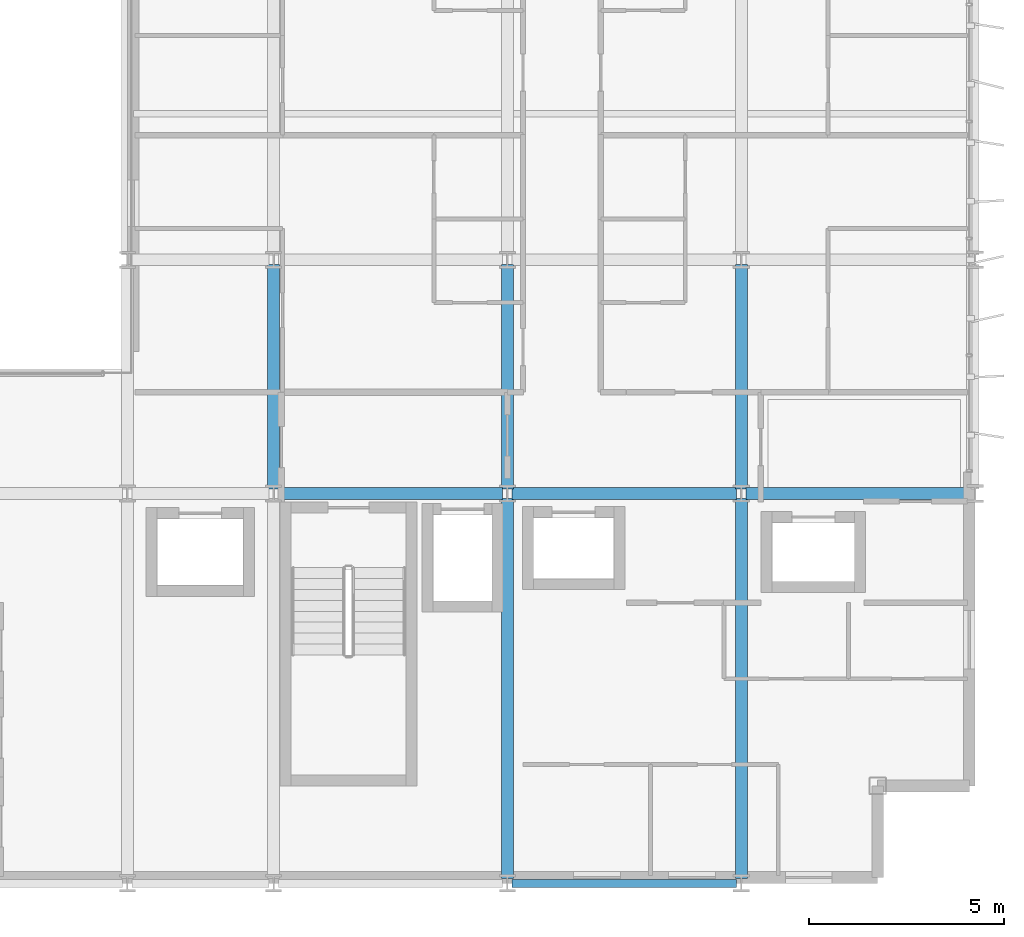
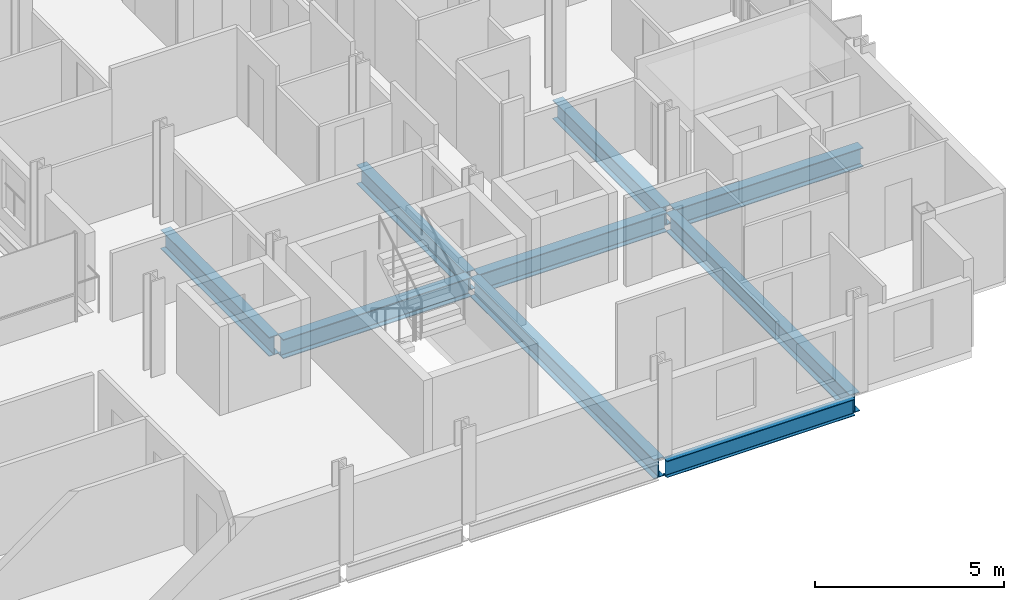
# One storey, part 14 of 39: 9 beams.
"""IFC4 building model written with IfcOpenShell, lengths in metres."""

from ifc_helpers import new_model, si_unit, direction, frame, origin, origin_2d, place, context, subcontext, project, spatial, i_section, extrude, material, material_profile, profile_set, type_object, element, save


model = new_model("IFC4")

# Units and contexts
model_context = context("Model", 3, precision=1e-05, world=origin(), true_north=direction((0.0, 1.0)))
body_context = subcontext(model_context, "Body", "Model", "MODEL_VIEW")
ifc_project = project(units=[si_unit("LENGTHUNIT", "METRE"), si_unit("AREAUNIT", "SQUARE_METRE"), si_unit("VOLUMEUNIT", "CUBIC_METRE"), si_unit("PLANEANGLEUNIT", "RADIAN"), si_unit("MASSUNIT", "GRAM", prefix="KILO")], contexts=[model_context])

# Site, building, storey
site_placement = place(None, origin())
site = spatial("IfcSite", under=ifc_project, at=site_placement, CompositionType="ELEMENT")
building_placement = place(site_placement, origin())
building = spatial("IfcBuilding", under=site, at=building_placement, Name="Brevholm Reach", CompositionType="ELEMENT")
storey_placement = place(building_placement, frame((0.0, 0.0, 83.800048828125)))
storey = spatial("IfcBuildingStorey", under=building, at=storey_placement, Name="L24", CompositionType="ELEMENT", Elevation=83.800048828125)

# Beams
ifc_material_1 = material(Name="Structural Steel S355J2", Category="steel")
ifc_material_profile_1 = material_profile(ifc_material_1, i_section(OverallWidth=0.210693359375, OverallDepth=0.53955078125, WebThickness=0.01171875, FlangeThickness=0.018798828125, FilletRadius=0.0126953125, at=origin_2d()), Name="UKB 533x210x109")
ifc_profile_set_1 = profile_set([ifc_material_profile_1], Name="Structural Steel S355J2")
beam_type_1 = type_object("IfcBeamType", Name="BM-SP539", PredefinedType="SPANDREL", material=ifc_profile_set_1)
beam_1_placement = place(storey_placement, frame((48.1201171875, 0.0, -0.499755859375), z_axis=(1.0, 0.0, 0.0), x_axis=(0.0, 1.0, 0.0)))
element("IfcBeam", 1, at=beam_1_placement, inside=storey, type_object=beam_type_1, Name="L24 SP-01B Framing Beam", PredefinedType="SPANDREL", context=body_context, shape_type="SweptSolid", body=[
    extrude(i_section(OverallWidth=0.210693359375, OverallDepth=0.53955078125, WebThickness=0.01171875, FlangeThickness=0.018798828125, FilletRadius=0.0126953125, at=origin_2d()), origin(), (0.0, 0.0, 1.0), 5.759765625),
])
ifc_material_2 = material(Name="Structural Steel S355J2", Category="steel")
ifc_material_profile_2 = material_profile(ifc_material_2, i_section(OverallWidth=0.30712890625, OverallDepth=0.6201171875, WebThickness=0.01416015625, FlangeThickness=0.023681640625, FilletRadius=0.0166015625, at=origin_2d()), Name="UKB 610x305x179")
ifc_profile_set_2 = profile_set([ifc_material_profile_2], Name="Structural Steel S355J2")
beam_type_2 = type_object("IfcBeamType", Name="BM-UKB610H", PredefinedType="USERDEFINED", material=ifc_profile_set_2)
for number, where, z_axis, x_axis, name in (
    (2, (42.1201171875, 10.0, -0.5400390625), (1.0, 0.0, 0.0), (0.0, 1.0, 0.0), "L24 G-06 Framing Beam"),
    (3, (48.1201171875, 10.0, -0.5400390625), (1.0, 0.0, 0.0), (0.0, 1.0, 0.0), "L24 G-06 Framing Beam"),
    (4, (54.1201171875, 10.0, -0.5400390625), (1.0, 0.0, 0.0), (0.0, 1.0, 0.0), "L24 G-06 Framing Beam"),
    (5, (42.0, 10.1201171875, -0.5400390625), (0.0, 1.0, 0.0), (-1.0, 0.0, 0.0), "L24 G-06 Framing Beam"),
):
    element("IfcBeam", number, at=place(storey_placement, frame(where, z_axis=z_axis, x_axis=x_axis)), inside=storey, type_object=beam_type_2, Name=name, ObjectType="GIRDER", PredefinedType="USERDEFINED", context=body_context, shape_type="SweptSolid", body=[
        extrude(i_section(OverallWidth=0.30712890625, OverallDepth=0.6201171875, WebThickness=0.01416015625, FlangeThickness=0.023681640625, FilletRadius=0.0166015625, at=origin_2d()), origin(), (0.0, 0.0, 1.0), 5.759765625),
    ])
beam_2_placement = place(storey_placement, frame((48.0, 0.1201171875, -0.5400390625), z_axis=(0.0, 1.0, 0.0), x_axis=(-1.0, 0.0, 0.0)))
element("IfcBeam", 6, at=beam_2_placement, inside=storey, type_object=beam_type_2, Name="L24 G-06 Framing Beam", ObjectType="GIRDER", PredefinedType="USERDEFINED", context=body_context, shape_type="SweptSolid", body=[
    extrude(i_section(OverallWidth=0.30712890625, OverallDepth=0.6201171875, WebThickness=0.01416015625, FlangeThickness=0.023681640625, FilletRadius=0.0166015625, at=origin_2d()), origin(), (0.0, 0.0, 1.0), 9.759765625),
])
beam_3_placement = place(storey_placement, frame((48.0, 10.1201171875, -0.5400390625), z_axis=(0.0, 1.0, 0.0), x_axis=(-1.0, 0.0, 0.0)))
element("IfcBeam", 7, at=beam_3_placement, inside=storey, type_object=beam_type_2, Name="L24 G-06 Framing Beam", ObjectType="GIRDER", PredefinedType="USERDEFINED", context=body_context, shape_type="SweptSolid", body=[
    extrude(i_section(OverallWidth=0.30712890625, OverallDepth=0.6201171875, WebThickness=0.01416015625, FlangeThickness=0.023681640625, FilletRadius=0.0166015625, at=origin_2d()), origin(), (0.0, 0.0, 1.0), 5.759765625),
])
beam_4_placement = place(storey_placement, frame((54.0, 0.1201171875, -0.5400390625), z_axis=(0.0, 1.0, 0.0), x_axis=(-1.0, 0.0, 0.0)))
element("IfcBeam", 8, at=beam_4_placement, inside=storey, type_object=beam_type_2, Name="L24 G-06 Framing Beam", ObjectType="GIRDER", PredefinedType="USERDEFINED", context=body_context, shape_type="SweptSolid", body=[
    extrude(i_section(OverallWidth=0.30712890625, OverallDepth=0.6201171875, WebThickness=0.01416015625, FlangeThickness=0.023681640625, FilletRadius=0.0166015625, at=origin_2d()), origin(), (0.0, 0.0, 1.0), 9.759765625),
])
beam_5_placement = place(storey_placement, frame((54.0, 10.1201171875, -0.5400390625), z_axis=(0.0, 1.0, 0.0), x_axis=(-1.0, 0.0, 0.0)))
element("IfcBeam", 9, at=beam_5_placement, inside=storey, type_object=beam_type_2, Name="L24 G-06 Framing Beam", ObjectType="GIRDER", PredefinedType="USERDEFINED", context=body_context, shape_type="SweptSolid", body=[
    extrude(i_section(OverallWidth=0.30712890625, OverallDepth=0.6201171875, WebThickness=0.01416015625, FlangeThickness=0.023681640625, FilletRadius=0.0166015625, at=origin_2d()), origin(), (0.0, 0.0, 1.0), 5.759765625),
])

save(model, "model.ifc")
